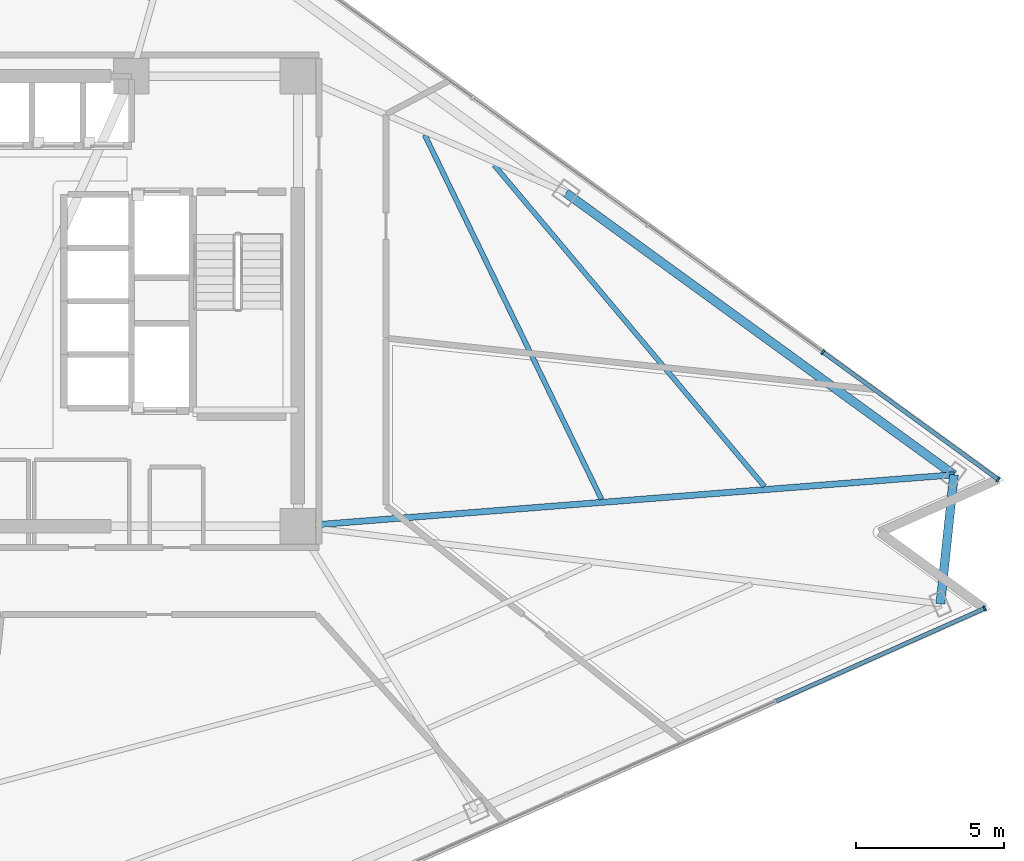
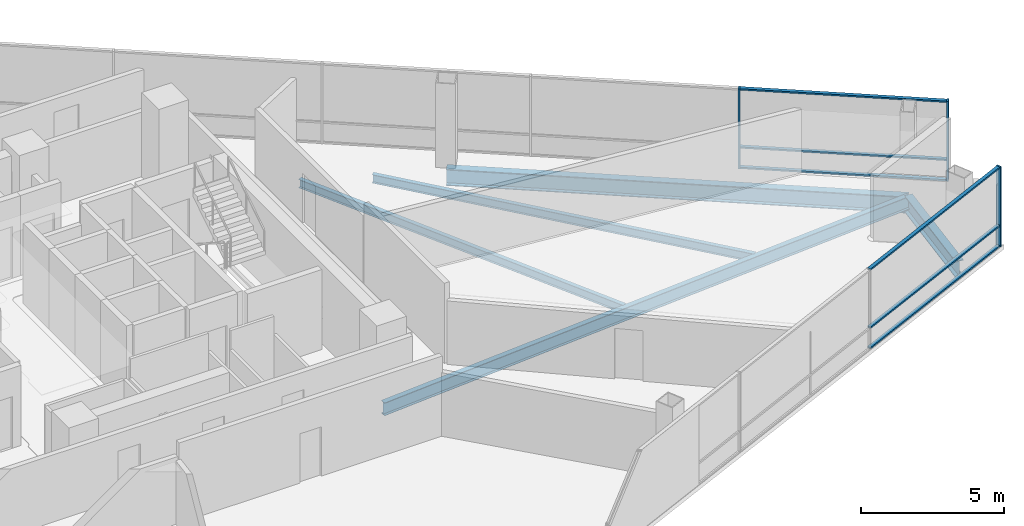
# One storey, part 6 of 19: 9 members, 5 beams, 2 elements without a shape of their own.
"""IFC4 building model written with IfcOpenShell, lengths in metres."""

from ifc_helpers import new_model, si_unit, direction, frame, origin, origin_2d, place, context, subcontext, project, spatial, rectangle, i_section, extrude, material, layer, layer_set, material_profile, profile_set, type_object, element, aggregate, save


model = new_model("IFC4")

# Units and contexts
model_context = context("Model", 3, precision=1e-05, world=origin(), true_north=direction((0.0, 1.0)))
body_context = subcontext(model_context, "Body", "Model", "MODEL_VIEW")
ifc_project = project(units=[si_unit("LENGTHUNIT", "METRE"), si_unit("AREAUNIT", "SQUARE_METRE"), si_unit("VOLUMEUNIT", "CUBIC_METRE"), si_unit("PLANEANGLEUNIT", "RADIAN"), si_unit("MASSUNIT", "GRAM", prefix="KILO")], contexts=[model_context])

# Site, building, storey
site_placement = place(None, origin())
site = spatial("IfcSite", under=ifc_project, at=site_placement, CompositionType="ELEMENT")
building_placement = place(site_placement, origin())
building = spatial("IfcBuilding", under=site, at=building_placement, Name="Tharavind Bronze Gate", CompositionType="ELEMENT")
storey_placement = place(building_placement, frame((0.0, 0.0, 126.85009765625)))
storey = spatial("IfcBuildingStorey", under=building, at=storey_placement, Name="L32", CompositionType="ELEMENT", Elevation=126.85009765625)

# Curtain wall, member
ifc_material_1 = material(Name="Anodised Bronze Aluminium", Category="aluminium")
ifc_layer = layer(ifc_material_1, 0.219970703125)
ifc_layer_set = layer_set([ifc_layer], Name="Anodised Bronze Aluminium")
curtain_wall_type = type_object("IfcCurtainWallType", Name="UNITISED CURTAIN WALL LOWER OFFICE", PredefinedType="USERDEFINED", material=ifc_layer_set)
curtain_wall_1_placement = place(storey_placement, origin())
curtain_wall_1 = element("IfcCurtainWall", 1, at=curtain_wall_1_placement, inside=storey, type_object=curtain_wall_type, Name="L32 unitised curtain wall lower office CW-L32-S2", ObjectType="UNITISED CURTAIN WALL", PredefinedType="USERDEFINED")
member_type_1 = type_object("IfcMemberType", Name="CURTAIN WALL BRONZE MULLION 65X180", PredefinedType="MULLION", material=ifc_material_1)
member_1_placement = place(storey_placement, frame((32.099853515625, -10.3759765625, 0.0), z_axis=(0.0, 0.0, 1.0), x_axis=(0.913545457643, 0.406736643076, 0.0)))
member_1 = element("IfcMember", 2, at=member_1_placement, type_object=member_type_1, Name="CW-L32-S2 mullion 8", PredefinedType="MULLION", context=body_context, shape_type="SweptSolid", body=[
    extrude(rectangle(XDim=0.06494140625, YDim=0.179931640625, at=origin_2d()), origin(), (0.0, 0.0, 1.0), 3.409912109375),
])

# Curtain wall, members
curtain_wall_2_placement = place(storey_placement, origin())
curtain_wall_2 = element("IfcCurtainWall", 3, at=curtain_wall_2_placement, inside=storey, type_object=curtain_wall_type, Name="L32 unitised curtain wall lower office CW-L32-S3", ObjectType="UNITISED CURTAIN WALL", PredefinedType="USERDEFINED")
member_2_placement = place(storey_placement, frame((32.5576171875, -6.02001953125, 0.0), z_axis=(0.0, 0.0, 1.0), x_axis=(-0.809016994375, 0.587785252292, 0.0)))
member_2 = element("IfcMember", 4, at=member_2_placement, type_object=member_type_1, Name="CW-L32-S3 mullion 1", PredefinedType="MULLION", context=body_context, shape_type="SweptSolid", body=[
    extrude(rectangle(XDim=0.06494140625, YDim=0.179931640625, at=origin_2d()), origin(), (0.0, 0.0, 1.0), 3.409912109375),
])
member_3_placement = place(storey_placement, frame((26.64111328125, -1.72119140625, 0.0), z_axis=(0.0, 0.0, 1.0), x_axis=(-0.809016994375, 0.587785252292, 0.0)))
member_3 = element("IfcMember", 5, at=member_3_placement, type_object=member_type_1, Name="CW-L32-S3 mullion 2", PredefinedType="MULLION", context=body_context, shape_type="SweptSolid", body=[
    extrude(rectangle(XDim=0.06494140625, YDim=0.179931640625, at=origin_2d()), origin(), (0.0, 0.0, 1.0), 3.409912109375),
])

# Member
member_type_2 = type_object("IfcMemberType", Name="CURTAIN WALL BRONZE TRANSOM 65X140", PredefinedType="USERDEFINED", material=ifc_material_1)
member_4_placement = place(storey_placement, frame((28.568603515625, -11.947998046875, 0.0), z_axis=(0.0, 0.0, 1.0), x_axis=(0.913545457643, 0.406736643076, 0.0)))
member_4 = element("IfcMember", 6, at=member_4_placement, type_object=member_type_2, Name="CW-L32-S2 transom TB7", ObjectType="TRANSOM", PredefinedType="USERDEFINED", context=body_context, shape_type="SweptSolid", body=[
    extrude(rectangle(XDim=7.677490234375, YDim=0.139892578125, at=origin_2d()), origin(), (0.0, 0.0, 1.0), 0.06494140625),
])

member_5_placement = place(storey_placement, frame((28.568603515625, -11.947998046875, 0.867431640625), z_axis=(0.0, 0.0, 1.0), x_axis=(0.913545457643, 0.406736643076, 0.0)))
member_5 = element("IfcMember", 7, at=member_5_placement, type_object=member_type_2, Name="CW-L32-S2 transom TS7", ObjectType="TRANSOM", PredefinedType="USERDEFINED", context=body_context, shape_type="SweptSolid", body=[
    extrude(rectangle(XDim=7.677490234375, YDim=0.139892578125, at=origin_2d()), origin(), (0.0, 0.0, 1.0), 0.06494140625),
])

member_6_placement = place(storey_placement, frame((28.568603515625, -11.947998046875, 3.344970703125), z_axis=(0.0, 0.0, 1.0), x_axis=(0.913545457643, 0.406736643076, 0.0)))
member_6 = element("IfcMember", 8, at=member_6_placement, type_object=member_type_2, Name="CW-L32-S2 transom TT7", ObjectType="TRANSOM", PredefinedType="USERDEFINED", context=body_context, shape_type="SweptSolid", body=[
    extrude(rectangle(XDim=7.677490234375, YDim=0.139892578125, at=origin_2d()), origin(), (0.0, 0.0, 1.0), 0.06494140625),
])

aggregate(curtain_wall_1, [member_1, member_4, member_5, member_6])

member_7_placement = place(storey_placement, frame((29.599365234375, -3.87060546875, 0.0), z_axis=(0.0, 0.0, 1.0), x_axis=(-0.809016994375, 0.587785252292, 0.0)))
member_7 = element("IfcMember", 9, at=member_7_placement, type_object=member_type_2, Name="CW-L32-S3 transom TB1", ObjectType="TRANSOM", PredefinedType="USERDEFINED", context=body_context, shape_type="SweptSolid", body=[
    extrude(rectangle(XDim=7.260498046875, YDim=0.139892578125, at=origin_2d()), origin(), (0.0, 0.0, 1.0), 0.06494140625),
])

member_8_placement = place(storey_placement, frame((29.599365234375, -3.87060546875, 0.867431640625), z_axis=(0.0, 0.0, 1.0), x_axis=(-0.809016994375, 0.587785252292, 0.0)))
member_8 = element("IfcMember", 10, at=member_8_placement, type_object=member_type_2, Name="CW-L32-S3 transom TS1", ObjectType="TRANSOM", PredefinedType="USERDEFINED", context=body_context, shape_type="SweptSolid", body=[
    extrude(rectangle(XDim=7.260498046875, YDim=0.139892578125, at=origin_2d()), origin(), (0.0, 0.0, 1.0), 0.06494140625),
])

member_9_placement = place(storey_placement, frame((29.599365234375, -3.87060546875, 3.344970703125), z_axis=(0.0, 0.0, 1.0), x_axis=(-0.809016994375, 0.587785252292, 0.0)))
member_9 = element("IfcMember", 11, at=member_9_placement, type_object=member_type_2, Name="CW-L32-S3 transom TT1", ObjectType="TRANSOM", PredefinedType="USERDEFINED", context=body_context, shape_type="SweptSolid", body=[
    extrude(rectangle(XDim=7.260498046875, YDim=0.139892578125, at=origin_2d()), origin(), (0.0, 0.0, 1.0), 0.06494140625),
])

aggregate(curtain_wall_2, [member_2, member_3, member_7, member_8, member_9])

# Beams
ifc_material_2 = material(Name="Steel S355", Category="steel")
ifc_material_profile_1 = material_profile(ifc_material_2, i_section(OverallWidth=0.2099609375, OverallDepth=0.550048828125, WebThickness=0.010986328125, FlangeThickness=0.01708984375, at=origin_2d()), Name="IPE550")
ifc_profile_set_1 = profile_set([ifc_material_profile_1], Name="Steel S355")
beam_type_1 = type_object("IfcBeamType", Name="PRIMARY GIRDER IPE550", PredefinedType="USERDEFINED", material=ifc_profile_set_1)
beam_1_placement = place(storey_placement, frame((31.06591796875, -5.863037109375, -0.465087890625), z_axis=(-0.996943461066, -0.078126406792, 0.0), x_axis=(0.078126406792, -0.996943461066, 0.0)))
element("IfcBeam", 12, at=beam_1_placement, inside=storey, type_object=beam_type_1, Name="L32 primary girder ipe550 BM-L32-RAD09", ObjectType="GIRDER", PredefinedType="USERDEFINED", context=body_context, shape_type="SweptSolid", body=[
    extrude(i_section(OverallWidth=0.2099609375, OverallDepth=0.550048828125, WebThickness=0.010986328125, FlangeThickness=0.01708984375, at=origin_2d()), origin(), (0.0, 0.0, 1.0), 22.23388671875),
])
ifc_material_profile_2 = material_profile(ifc_material_2, i_section(OverallWidth=0.300048828125, OverallDepth=0.699951171875, WebThickness=0.01708984375, FlangeThickness=0.031982421875, at=origin_2d()), Name="HE700B")
ifc_profile_set_2 = profile_set([ifc_material_profile_2], Name="Steel S355")
beam_type_2 = type_object("IfcBeamType", Name="RING GIRDER HE700B", PredefinedType="USERDEFINED", material=ifc_profile_set_2)
beam_2_placement = place(storey_placement, frame((30.60791015625, -10.218994140625, -0.5400390625), z_axis=(0.1045687219, 0.994517663192, 0.0), x_axis=(-0.994517663192, 0.1045687219, 0.0)))
element("IfcBeam", 13, at=beam_2_placement, inside=storey, type_object=beam_type_2, Name="L32 ring girder he700b BM-L32-PRG08", ObjectType="GIRDER", PredefinedType="USERDEFINED", context=body_context, shape_type="SweptSolid", body=[
    extrude(i_section(OverallWidth=0.300048828125, OverallDepth=0.699951171875, WebThickness=0.01708984375, FlangeThickness=0.031982421875, at=origin_2d()), origin(), (0.0, 0.0, 1.0), 4.3798828125),
])
beam_3_placement = place(storey_placement, frame((31.06591796875, -5.863037109375, -0.5400390625), z_axis=(-0.809014294341, 0.587788968553, 0.0), x_axis=(-0.587788968553, -0.809014294341, 0.0)))
element("IfcBeam", 14, at=beam_3_placement, inside=storey, type_object=beam_type_2, Name="L32 ring girder he700b BM-L32-PRG09", ObjectType="GIRDER", PredefinedType="USERDEFINED", context=body_context, shape_type="SweptSolid", body=[
    extrude(i_section(OverallWidth=0.300048828125, OverallDepth=0.699951171875, WebThickness=0.01708984375, FlangeThickness=0.031982421875, at=origin_2d()), origin(), (0.0, 0.0, 1.0), 16.198486328125),
])
ifc_material_profile_3 = material_profile(ifc_material_2, i_section(OverallWidth=0.169921875, OverallDepth=0.360107421875, WebThickness=0.008056640625, FlangeThickness=0.0126953125, at=origin_2d()), Name="IPE360")
ifc_profile_set_3 = profile_set([ifc_material_profile_3], Name="Steel S355")
beam_type_3 = type_object("IfcBeamType", Name="SECONDARY FLOOR JOIST IPE360", PredefinedType="JOIST", material=ifc_profile_set_3)
beam_4_placement = place(storey_placement, frame((19.15625, -6.687255859375, -0.3701171875), z_axis=(-0.436529248779, 0.899690066056, 0.0), x_axis=(-0.899690066056, -0.436529248779, 0.0)))
element("IfcBeam", 15, at=beam_4_placement, inside=storey, type_object=beam_type_3, Name="L32 secondary floor joist ipe360 BM-L32-JSTA09", PredefinedType="JOIST", context=body_context, shape_type="SweptSolid", body=[
    extrude(i_section(OverallWidth=0.169921875, OverallDepth=0.360107421875, WebThickness=0.008056640625, FlangeThickness=0.0126953125, at=origin_2d()), origin(), (0.0, 0.0, 1.0), 13.677734375),
])
beam_5_placement = place(storey_placement, frame((24.662841796875, -6.256103515625, -0.3701171875), z_axis=(-0.643699388619, 0.765278444157, 0.0), x_axis=(-0.765278444157, -0.643699388619, 0.0)))
element("IfcBeam", 16, at=beam_5_placement, inside=storey, type_object=beam_type_3, Name="L32 secondary floor joist ipe360 BM-L32-JSTB09", PredefinedType="JOIST", context=body_context, shape_type="SweptSolid", body=[
    extrude(i_section(OverallWidth=0.169921875, OverallDepth=0.360107421875, WebThickness=0.008056640625, FlangeThickness=0.0126953125, at=origin_2d()), origin(), (0.0, 0.0, 1.0), 14.18310546875),
])

save(model, "model.ifc")
